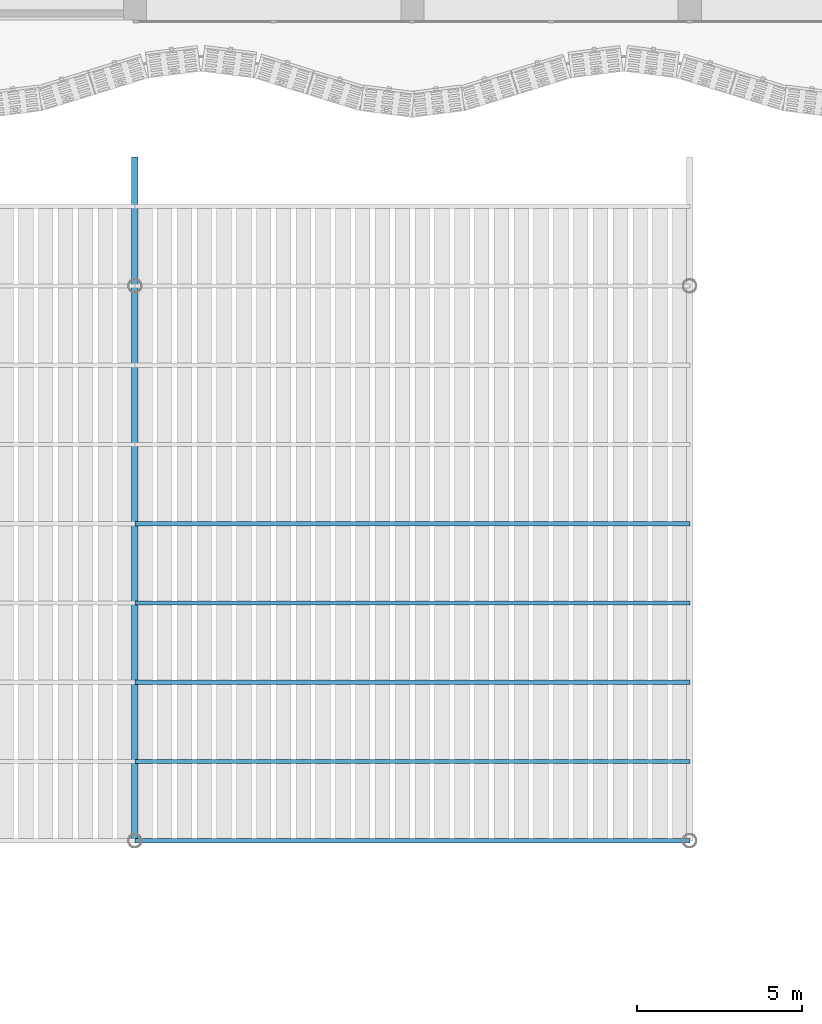
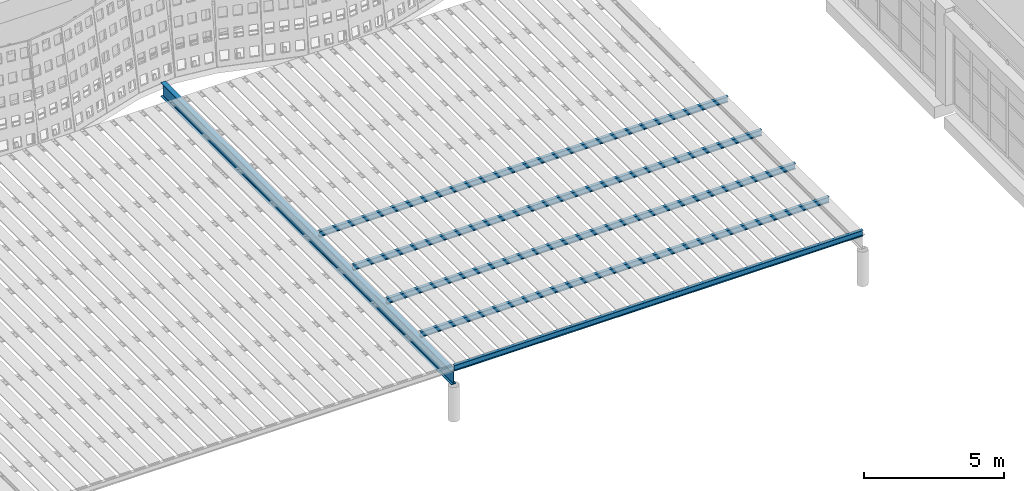
# One storey, part 41 of 162: 5 members, 1 beam.
"""IFC4 building model written with IfcOpenShell, lengths in metres."""

from ifc_helpers import new_model, si_unit, direction, frame, origin, origin_2d, place, context, subcontext, project, spatial, i_section, extrude, material, material_profile, profile_set, type_object, element, save


model = new_model("IFC4")

# Units and contexts
model_context = context("Model", 3, precision=1e-05, world=origin(), true_north=direction((0.0, 1.0)))
body_context = subcontext(model_context, "Body", "Model", "MODEL_VIEW")
ifc_project = project(units=[si_unit("LENGTHUNIT", "METRE"), si_unit("AREAUNIT", "SQUARE_METRE"), si_unit("VOLUMEUNIT", "CUBIC_METRE"), si_unit("PLANEANGLEUNIT", "RADIAN"), si_unit("MASSUNIT", "GRAM", prefix="KILO")], contexts=[model_context])

# Site, building, storey
site_placement = place(None, origin())
site = spatial("IfcSite", under=ifc_project, at=site_placement, CompositionType="ELEMENT")
building_placement = place(site_placement, origin())
building = spatial("IfcBuilding", under=site, at=building_placement, Name="Rain Tree Exposition and Congress Centre", CompositionType="ELEMENT")
storey_placement = place(building_placement, frame((0.0, 0.0, 6.0)))
storey = spatial("IfcBuildingStorey", under=building, at=storey_placement, Name="L01", CompositionType="ELEMENT", Elevation=6.0)

# Beam
ifc_material_1 = material(Name="Steel S355J2", Category="steel")
ifc_material_profile_1 = material_profile(ifc_material_1, i_section(OverallWidth=0.199951171875, OverallDepth=0.60009765625, WebThickness=0.010986328125, FlangeThickness=0.01708984375, FilletRadius=0.02197265625, at=origin_2d()), Name="H 600x200x11x17")
ifc_profile_set_1 = profile_set([ifc_material_profile_1], Name="Steel S355J2")
beam_type = type_object("IfcBeamType", Name="Steel beam H 600x200x11x17", PredefinedType="BEAM", material=ifc_profile_set_1)
beam_placement = place(storey_placement, frame((126.0, 50.39990234375, 1.800048828125), z_axis=(0.0, 1.0, 0.0), x_axis=(-1.0, 0.0, 0.0)))
element("IfcBeam", 1, at=beam_placement, inside=storey, type_object=beam_type, Name="Canopy primary beam 5", PredefinedType="BEAM", context=body_context, shape_type="SweptSolid", body=[
    extrude(i_section(OverallWidth=0.199951171875, OverallDepth=0.60009765625, WebThickness=0.010986328125, FlangeThickness=0.01708984375, FilletRadius=0.02197265625, at=origin_2d()), origin(), (0.0, 0.0, 1.0), 20.7001953125),
])

# Members
ifc_material_2 = material(Name="Steel S355J2", Category="steel")
ifc_material_profile_2 = material_profile(ifc_material_2, i_section(OverallWidth=0.125, OverallDepth=0.25, WebThickness=0.006103515625, FlangeThickness=0.009033203125, FilletRadius=0.008056640625, at=origin_2d()), Name="H 250x125x6x9")
ifc_profile_set_2 = profile_set([ifc_material_profile_2], Name="Steel S355J2")
member_type = type_object("IfcMemberType", Name="Steel purlin H 250x125x6x9", PredefinedType="PURLIN", material=ifc_profile_set_2)
for number, where, z_axis, x_axis, name in (
    (2, (126.0, 50.39990234375, 2.22509765625), (1.0, 0.0, 0.0), (0.0, 1.0, 0.0), "Canopy purlin 5"),
    (3, (126.0, 52.800048828125, 2.22509765625), (1.0, 0.0, 0.0), (0.0, 1.0, 0.0), "Canopy purlin 10"),
    (4, (126.0, 55.199951171875, 2.22509765625), (1.0, 0.0, 0.0), (0.0, 1.0, 0.0), "Canopy purlin 15"),
    (5, (126.0, 57.60009765625, 2.22509765625), (1.0, 0.0, 0.0), (0.0, 1.0, 0.0), "Canopy purlin 20"),
    (6, (126.0, 60.0, 2.22509765625), (1.0, 0.0, 0.0), (0.0, 1.0, 0.0), "Canopy purlin 25"),
):
    element("IfcMember", number, at=place(storey_placement, frame(where, z_axis=z_axis, x_axis=x_axis)), inside=storey, type_object=member_type, Name=name, PredefinedType="PURLIN", context=body_context, shape_type="SweptSolid", body=[
        extrude(i_section(OverallWidth=0.125, OverallDepth=0.25, WebThickness=0.006103515625, FlangeThickness=0.009033203125, FilletRadius=0.008056640625, at=origin_2d()), origin(), (0.0, 0.0, 1.0), 16.800048828125),
    ])

save(model, "model.ifc")
